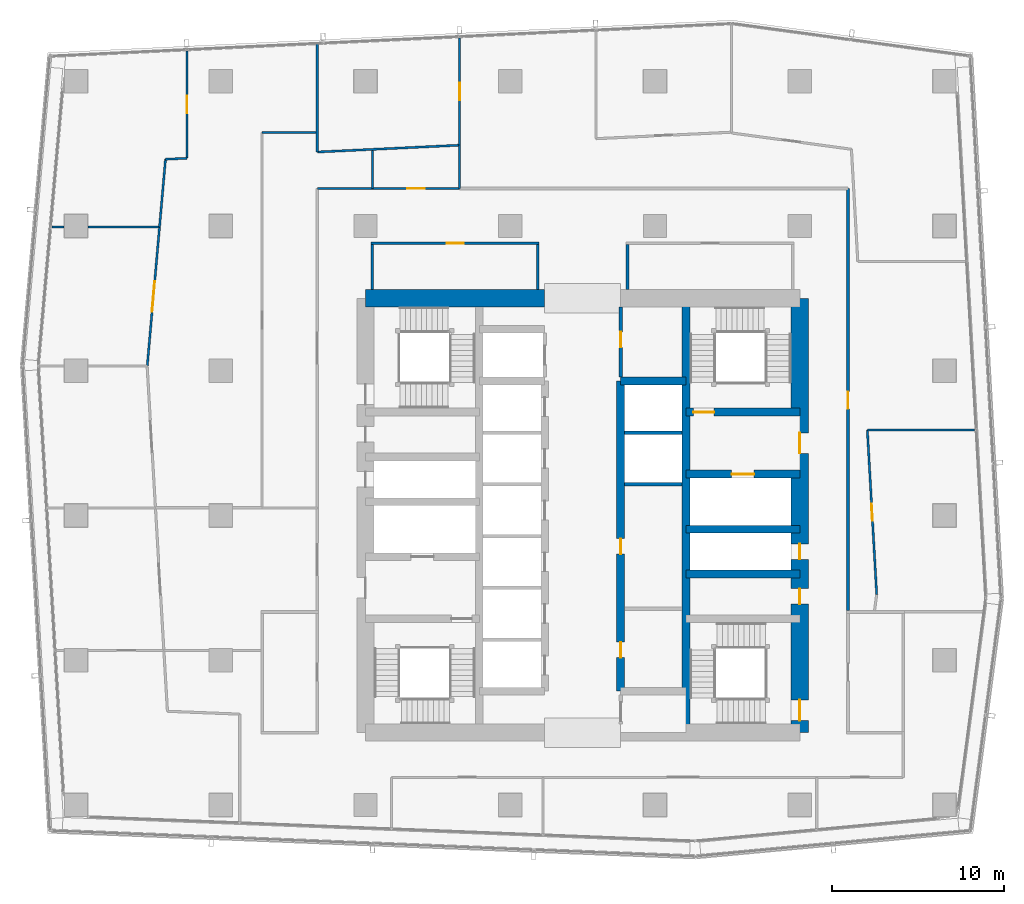
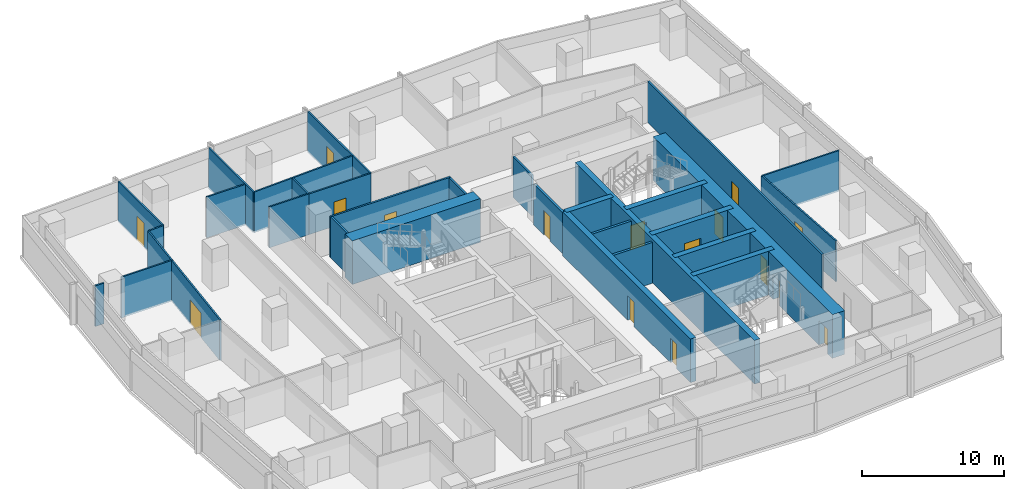
# One storey, part 29 of 39: 33 walls, 16 doors, 16 openings.
"""IFC4 building model written with IfcOpenShell, lengths in metres."""

from ifc_helpers import new_model, si_unit, direction, frame, frame_2d, origin, place, context, subcontext, project, spatial, rectangle, extrude, material, layer, layer_set, type_object, element, fill, save


model = new_model("IFC4")

# Units and contexts
model_context = context("Model", 3, precision=1e-05, world=origin(), true_north=direction((0.0, 1.0)))
body_context = subcontext(model_context, "Body", "Model", "MODEL_VIEW")
ifc_project = project(units=[si_unit("LENGTHUNIT", "METRE"), si_unit("AREAUNIT", "SQUARE_METRE"), si_unit("VOLUMEUNIT", "CUBIC_METRE"), si_unit("PLANEANGLEUNIT", "RADIAN"), si_unit("MASSUNIT", "GRAM", prefix="KILO")], contexts=[model_context])

# Site, building, storey
site_placement = place(None, origin())
site = spatial("IfcSite", under=ifc_project, at=site_placement, CompositionType="ELEMENT")
building_placement = place(site_placement, origin())
building = spatial("IfcBuilding", under=site, at=building_placement, Name="Rekha Terrace Tower", CompositionType="ELEMENT")
storey_placement = place(building_placement, frame((0.0, 0.0, 217.699951171875)))
storey = spatial("IfcBuildingStorey", under=building, at=storey_placement, Name="L55", CompositionType="ELEMENT", Elevation=217.699951171875)

# Wall
ifc_material_1 = material(Name="Concrete M60", Category="concrete")
ifc_layer_1 = layer(ifc_material_1, 0.449951171875)
ifc_layer_set_1 = layer_set([ifc_layer_1], Name="Concrete M60")
wall_type_1 = type_object("IfcWallType", Name="CI3 450 core internal shear wall", PredefinedType="SHEAR", material=ifc_layer_set_1)
wall_1_placement = place(storey_placement, frame((43.800048828125, 21.0, 0.0), z_axis=(0.0, 0.0, 1.0), x_axis=(0.0, 1.0, 0.0)))
element("IfcWall", 1, at=wall_1_placement, inside=storey, type_object=wall_type_1, Name="Core wall X438 L55", PredefinedType="SHEAR", context=body_context, shape_type="SweptSolid", body=[
    extrude(rectangle(XDim=25.199951171875, YDim=0.449951171875, at=frame_2d((12.60009765625, 0.0))), origin(), (0.0, 0.0, 1.0), 3.75),
])

# Wall, openings, doors
wall_2_placement = place(storey_placement, frame((40.0, 23.39990234375, 0.0), z_axis=(0.0, 0.0, 1.0), x_axis=(0.0, 1.0, 0.0)))
wall_2 = element("IfcWall", 2, at=wall_2_placement, inside=storey, type_object=wall_type_1, Name="Core wall X400 L55", PredefinedType="SHEAR", context=body_context, shape_type="SweptSolid", body=[
    extrude(rectangle(XDim=18.0, YDim=0.449951171875, at=frame_2d((9.0, 0.0))), origin(), (0.0, 0.0, 1.0), 3.75),
])
opening_1_placement = place(wall_2_placement, frame((1.949951171875, 0.0, 0.0)))
opening_1 = element("IfcOpeningElement", 3, at=opening_1_placement, cuts=wall_2, Name="Opening D5", PredefinedType="OPENING", context=body_context, shape_type="SweptSolid", body=[
    extrude(rectangle(XDim=0.89990234375, YDim=2.10009765625, at=frame_2d((0.449951171875, 1.050048828125))), frame((0.0, 0.23486328125, 0.0), z_axis=(0.0, -1.0, 0.0), x_axis=(1.0, 0.0, 0.0)), (0.0, 0.0, 1.0), 0.469970703125),
])
opening_2_placement = place(wall_2_placement, frame((7.949951171875, 0.0, 0.0)))
opening_2 = element("IfcOpeningElement", 4, at=opening_2_placement, cuts=wall_2, Name="Opening D5", PredefinedType="OPENING", context=body_context, shape_type="SweptSolid", body=[
    extrude(rectangle(XDim=0.89990234375, YDim=2.10009765625, at=frame_2d((0.449951171875, 1.050048828125))), frame((0.0, 0.23486328125, 0.0), z_axis=(0.0, -1.0, 0.0), x_axis=(1.0, 0.0, 0.0)), (0.0, 0.0, 1.0), 0.469970703125),
])
ifc_material_2 = material(Name="Steel fire door", Category="steel")
door_type_1 = type_object("IfcDoorType", Name="D5 900x2100 riser access door", OperationType="SINGLE_SWING_LEFT", PredefinedType="DOOR", material=ifc_material_2)
door_1_placement = place(opening_1_placement, origin())
door_1 = element("IfcDoor", 5, at=door_1_placement, inside=storey, type_object=door_type_1, Name="Door records store L55", OperationType="SINGLE_SWING_LEFT", OverallHeight=2.10009765625, OverallWidth=0.89990234375, PredefinedType="DOOR", context=body_context, shape_type="SweptSolid", body=[
    extrude(rectangle(XDim=0.89990234375, YDim=2.10009765625, at=frame_2d((0.449951171875, 1.050048828125))), frame((0.0, 0.02490234375, 0.0), z_axis=(0.0, -1.0, 0.0), x_axis=(1.0, 0.0, 0.0)), (0.0, 0.0, 1.0), 0.050048828125),
])
fill(opening_1, door_1)
door_2_placement = place(opening_2_placement, origin())
door_2 = element("IfcDoor", 6, at=door_2_placement, inside=storey, type_object=door_type_1, Name="Door back-of-house store L55", OperationType="SINGLE_SWING_LEFT", OverallHeight=2.10009765625, OverallWidth=0.89990234375, PredefinedType="DOOR", context=body_context, shape_type="SweptSolid", body=[
    extrude(rectangle(XDim=0.89990234375, YDim=2.10009765625, at=frame_2d((0.449951171875, 1.050048828125))), frame((0.0, 0.02490234375, 0.0), z_axis=(0.0, -1.0, 0.0), x_axis=(1.0, 0.0, 0.0)), (0.0, 0.0, 1.0), 0.050048828125),
])
fill(opening_2, door_2)

# Walls
wall_3_placement = place(storey_placement, frame((40.0, 41.39990234375, 0.0), z_axis=(0.0, 0.0, 1.0), x_axis=(1.0, 0.0, 0.0)))
element("IfcWall", 7, at=wall_3_placement, inside=storey, type_object=wall_type_1, Name="Core wall Y414E L55", PredefinedType="SHEAR", context=body_context, shape_type="SweptSolid", body=[
    extrude(rectangle(XDim=3.800048828125, YDim=0.449951171875, at=frame_2d((1.89990234375, 0.0))), origin(), (0.0, 0.0, 1.0), 3.75),
])
for number, where, z_axis, x_axis, name in (
    (8, (43.800048828125, 30.199951171875, 0.0), (0.0, 0.0, 1.0), (1.0, 0.0, 0.0), "Core wall Y302E L55"),
    (9, (43.800048828125, 32.800048828125, 0.0), (0.0, 0.0, 1.0), (1.0, 0.0, 0.0), "Core wall Y328E L55"),
):
    element("IfcWall", number, at=place(storey_placement, frame(where, z_axis=z_axis, x_axis=x_axis)), inside=storey, type_object=wall_type_1, Name=name, PredefinedType="SHEAR", context=body_context, shape_type="SweptSolid", body=[
        extrude(rectangle(XDim=6.599853515625, YDim=0.449951171875, at=frame_2d((3.2998046875, 0.0))), origin(), (0.0, 0.0, 1.0), 3.75),
    ])

# Wall, opening, door
wall_4_placement = place(storey_placement, frame((43.800048828125, 36.0, 0.0), z_axis=(0.0, 0.0, 1.0), x_axis=(1.0, 0.0, 0.0)))
wall_4 = element("IfcWall", 10, at=wall_4_placement, inside=storey, type_object=wall_type_1, Name="Core wall Y360E L55", PredefinedType="SHEAR", context=body_context, shape_type="SweptSolid", body=[
    extrude(rectangle(XDim=6.599853515625, YDim=0.449951171875, at=frame_2d((3.2998046875, 0.0))), origin(), (0.0, 0.0, 1.0), 3.75),
])
opening_3_placement = place(wall_4_placement, frame((2.64990234375, 0.0, 0.0)))
opening_3 = element("IfcOpeningElement", 11, at=opening_3_placement, cuts=wall_4, Name="Opening LD2", PredefinedType="OPENING", context=body_context, shape_type="SweptSolid", body=[
    extrude(rectangle(XDim=1.300048828125, YDim=2.10009765625, at=frame_2d((0.64990234375, 1.050048828125))), frame((0.0, 0.23486328125, 0.0), z_axis=(0.0, -1.0, 0.0), x_axis=(1.0, 0.0, 0.0)), (0.0, 0.0, 1.0), 0.469970703125),
])
ifc_material_3 = material(Name="Stainless steel sliding landing door", Category="steel")
door_type_2 = type_object("IfcDoorType", Name="LD2 1300x2100 fire lift landing door", OperationType="SLIDING_TO_LEFT", PredefinedType="USERDEFINED", material=ifc_material_3)
door_3_placement = place(opening_3_placement, origin())
door_3 = element("IfcDoor", 12, at=door_3_placement, inside=storey, type_object=door_type_2, Name="Lift FL2 landing door L55", ObjectType="LIFT LANDING DOOR", OperationType="SLIDING_TO_LEFT", OverallHeight=2.10009765625, OverallWidth=1.300048828125, PredefinedType="USERDEFINED", context=body_context, shape_type="SweptSolid", body=[
    extrude(rectangle(XDim=1.300048828125, YDim=2.10009765625, at=frame_2d((0.64990234375, 1.050048828125))), frame((0.0, 0.02490234375, 0.0), z_axis=(0.0, -1.0, 0.0), x_axis=(1.0, 0.0, 0.0)), (0.0, 0.0, 1.0), 0.050048828125),
])
fill(opening_3, door_3)

wall_5_placement = place(storey_placement, frame((43.800048828125, 39.60009765625, 0.0), z_axis=(0.0, 0.0, 1.0), x_axis=(1.0, 0.0, 0.0)))
wall_5 = element("IfcWall", 13, at=wall_5_placement, inside=storey, type_object=wall_type_1, Name="Core wall Y396E L55", PredefinedType="SHEAR", context=body_context, shape_type="SweptSolid", body=[
    extrude(rectangle(XDim=6.599853515625, YDim=0.449951171875, at=frame_2d((3.2998046875, 0.0))), origin(), (0.0, 0.0, 1.0), 3.75),
])
opening_4_placement = place(wall_5_placement, frame((0.425048828125, 0.0, 0.0)))
opening_4 = element("IfcOpeningElement", 14, at=opening_4_placement, cuts=wall_5, Name="Opening D1", PredefinedType="OPENING", context=body_context, shape_type="SweptSolid", body=[
    extrude(rectangle(XDim=1.199951171875, YDim=2.10009765625, at=frame_2d((0.60009765625, 1.050048828125))), frame((0.0, 0.23486328125, 0.0), z_axis=(0.0, -1.0, 0.0), x_axis=(1.0, 0.0, 0.0)), (0.0, 0.0, 1.0), 0.469970703125),
])
door_type_3 = type_object("IfcDoorType", Name="D1 1200x2100 stair fire door", OperationType="SINGLE_SWING_RIGHT", PredefinedType="DOOR", material=ifc_material_2)
door_4_placement = place(opening_4_placement, origin())
door_4 = element("IfcDoor", 15, at=door_4_placement, inside=storey, type_object=door_type_3, Name="Stair ST2 door L55", OperationType="SINGLE_SWING_RIGHT", OverallHeight=2.10009765625, OverallWidth=1.199951171875, PredefinedType="DOOR", context=body_context, shape_type="SweptSolid", body=[
    extrude(rectangle(XDim=1.199951171875, YDim=2.10009765625, at=frame_2d((0.60009765625, 1.050048828125))), frame((0.0, 0.02490234375, 0.0), z_axis=(0.0, -1.0, 0.0), x_axis=(1.0, 0.0, 0.0)), (0.0, 0.0, 1.0), 0.050048828125),
])
fill(opening_4, door_4)

# Wall
ifc_layer_2 = layer(ifc_material_1, 1.0)
ifc_layer_set_2 = layer_set([ifc_layer_2], Name="Concrete M60")
wall_type_2 = type_object("IfcWallType", Name="SW3 1000 core outer shear wall", PredefinedType="SHEAR", material=ifc_layer_set_2)
wall_6_placement = place(storey_placement, frame((25.199951171875, 46.199951171875, 0.0), z_axis=(0.0, 0.0, 1.0), x_axis=(1.0, 0.0, 0.0)))
element("IfcWall", 16, at=wall_6_placement, inside=storey, type_object=wall_type_2, Name="Core wall N1 L55", PredefinedType="SHEAR", context=body_context, shape_type="SweptSolid", body=[
    extrude(rectangle(XDim=10.400146484375, YDim=1.0, at=frame_2d((5.2001953125, 0.0))), origin(), (0.0, 0.0, 1.0), 3.75),
])

# Wall, openings, doors
wall_7_placement = place(storey_placement, frame((50.39990234375, 21.0, 0.0), z_axis=(0.0, 0.0, 1.0), x_axis=(0.0, 1.0, 0.0)))
wall_7 = element("IfcWall", 17, at=wall_7_placement, inside=storey, type_object=wall_type_2, Name="Core wall E L55", PredefinedType="SHEAR", context=body_context, shape_type="SweptSolid", body=[
    extrude(rectangle(XDim=25.199951171875, YDim=1.0, at=frame_2d((12.60009765625, 0.0))), origin(), (0.0, 0.0, 1.0), 3.75),
])
opening_5_placement = place(wall_7_placement, frame((16.199951171875, 0.0, 0.0)))
opening_5 = element("IfcOpeningElement", 18, at=opening_5_placement, cuts=wall_7, Name="Opening D2", PredefinedType="OPENING", context=body_context, shape_type="SweptSolid", body=[
    extrude(rectangle(XDim=1.199951171875, YDim=2.10009765625, at=frame_2d((0.60009765625, 1.050048828125))), frame((0.0, 0.510009765625, 0.0), z_axis=(0.0, -1.0, 0.0), x_axis=(1.0, 0.0, 0.0)), (0.0, 0.0, 1.0), 1.02001953125),
])
opening_6_placement = place(wall_7_placement, frame((10.050048828125, 0.0, 0.0)))
opening_6 = element("IfcOpeningElement", 19, at=opening_6_placement, cuts=wall_7, Name="Opening D5", PredefinedType="OPENING", context=body_context, shape_type="SweptSolid", body=[
    extrude(rectangle(XDim=0.89990234375, YDim=2.10009765625, at=frame_2d((0.449951171875, 1.050048828125))), frame((0.0, 0.510009765625, 0.0), z_axis=(0.0, -1.0, 0.0), x_axis=(1.0, 0.0, 0.0)), (0.0, 0.0, 1.0), 1.02001953125),
])
opening_7_placement = place(wall_7_placement, frame((7.449951171875, 0.0, 0.0)))
opening_7 = element("IfcOpeningElement", 20, at=opening_7_placement, cuts=wall_7, Name="Opening D5", PredefinedType="OPENING", context=body_context, shape_type="SweptSolid", body=[
    extrude(rectangle(XDim=0.89990234375, YDim=2.10009765625, at=frame_2d((0.449951171875, 1.050048828125))), frame((0.0, 0.510009765625, 0.0), z_axis=(0.0, -1.0, 0.0), x_axis=(1.0, 0.0, 0.0)), (0.0, 0.0, 1.0), 1.02001953125),
])
opening_8_placement = place(wall_7_placement, frame((0.699951171875, 0.0, 0.0)))
opening_8 = element("IfcOpeningElement", 21, at=opening_8_placement, cuts=wall_7, Name="Opening D1", PredefinedType="OPENING", context=body_context, shape_type="SweptSolid", body=[
    extrude(rectangle(XDim=1.199951171875, YDim=2.10009765625, at=frame_2d((0.60009765625, 1.050048828125))), frame((0.0, 0.510009765625, 0.0), z_axis=(0.0, -1.0, 0.0), x_axis=(1.0, 0.0, 0.0)), (0.0, 0.0, 1.0), 1.02001953125),
])
door_5_placement = place(opening_8_placement, origin())
door_5 = element("IfcDoor", 22, at=door_5_placement, inside=storey, type_object=door_type_3, Name="Stair ST3 door L55", OperationType="SINGLE_SWING_RIGHT", OverallHeight=2.10009765625, OverallWidth=1.199951171875, PredefinedType="DOOR", context=body_context, shape_type="SweptSolid", body=[
    extrude(rectangle(XDim=1.199951171875, YDim=2.10009765625, at=frame_2d((0.60009765625, 1.050048828125))), frame((0.0, 0.02490234375, 0.0), z_axis=(0.0, -1.0, 0.0), x_axis=(1.0, 0.0, 0.0)), (0.0, 0.0, 1.0), 0.050048828125),
])
fill(opening_8, door_5)
door_type_4 = type_object("IfcDoorType", Name="D2 1200x2100 firefighting lobby door", OperationType="SINGLE_SWING_LEFT", PredefinedType="DOOR", material=ifc_material_2)
door_6_placement = place(opening_5_placement, origin())
door_6 = element("IfcDoor", 23, at=door_6_placement, inside=storey, type_object=door_type_4, Name="Door flb2 L55", OperationType="SINGLE_SWING_LEFT", OverallHeight=2.10009765625, OverallWidth=1.199951171875, PredefinedType="DOOR", context=body_context, shape_type="SweptSolid", body=[
    extrude(rectangle(XDim=1.199951171875, YDim=2.10009765625, at=frame_2d((0.60009765625, 1.050048828125))), frame((0.0, 0.02490234375, 0.0), z_axis=(0.0, -1.0, 0.0), x_axis=(1.0, 0.0, 0.0)), (0.0, 0.0, 1.0), 0.050048828125),
])
fill(opening_5, door_6)
door_7_placement = place(opening_6_placement, origin())
door_7 = element("IfcDoor", 24, at=door_7_placement, inside=storey, type_object=door_type_1, Name="Door rs2 L55", OperationType="SINGLE_SWING_LEFT", OverallHeight=2.10009765625, OverallWidth=0.89990234375, PredefinedType="DOOR", context=body_context, shape_type="SweptSolid", body=[
    extrude(rectangle(XDim=0.89990234375, YDim=2.10009765625, at=frame_2d((0.449951171875, 1.050048828125))), frame((0.0, 0.02490234375, 0.0), z_axis=(0.0, -1.0, 0.0), x_axis=(1.0, 0.0, 0.0)), (0.0, 0.0, 1.0), 0.050048828125),
])
fill(opening_6, door_7)
door_8_placement = place(opening_7_placement, origin())
door_8 = element("IfcDoor", 25, at=door_8_placement, inside=storey, type_object=door_type_1, Name="Door ele L55", OperationType="SINGLE_SWING_LEFT", OverallHeight=2.10009765625, OverallWidth=0.89990234375, PredefinedType="DOOR", context=body_context, shape_type="SweptSolid", body=[
    extrude(rectangle(XDim=0.89990234375, YDim=2.10009765625, at=frame_2d((0.449951171875, 1.050048828125))), frame((0.0, 0.02490234375, 0.0), z_axis=(0.0, -1.0, 0.0), x_axis=(1.0, 0.0, 0.0)), (0.0, 0.0, 1.0), 0.050048828125),
])
fill(opening_7, door_8)

# Wall
ifc_material_4 = material(Name="Concrete block masonry, 1 hour", Category="masonry")
ifc_layer_3 = layer(ifc_material_4, 0.14990234375)
ifc_layer_set_3 = layer_set([ifc_layer_3], Name="Concrete block masonry, 1 hour")
wall_type_3 = type_object("IfcWallType", Name="WP2 150 tenancy partition", PredefinedType="PARTITIONING", material=ifc_layer_set_3)
wall_8_placement = place(storey_placement, frame((40.39990234375, 46.699951171875, 0.0), z_axis=(0.0, 0.0, 1.0), x_axis=(0.0, 1.0, 0.0)))
element("IfcWall", 26, at=wall_8_placement, inside=storey, type_object=wall_type_3, Name="Women's WC wall L55", PredefinedType="PARTITIONING", context=body_context, shape_type="SweptSolid", body=[
    extrude(rectangle(XDim=2.625, YDim=0.14990234375, at=frame_2d((1.3125, 0.0))), origin(), (0.0, 0.0, 1.0), 3.5),
])

# Wall, opening, door
wall_9_placement = place(storey_placement, frame((25.52490234375, 49.39990234375, 0.0), z_axis=(0.0, 0.0, 1.0), x_axis=(1.0, 0.0, 0.0)))
wall_9 = element("IfcWall", 27, at=wall_9_placement, inside=storey, type_object=wall_type_3, Name="Women's WC wall L55", PredefinedType="PARTITIONING", context=body_context, shape_type="SweptSolid", body=[
    extrude(rectangle(XDim=9.75, YDim=0.14990234375, at=frame_2d((4.875, 0.0))), origin(), (0.0, 0.0, 1.0), 3.5),
])
opening_9_placement = place(wall_9_placement, frame((4.375, 0.0, 0.0)))
opening_9 = element("IfcOpeningElement", 28, at=opening_9_placement, cuts=wall_9, Name="Opening D3", PredefinedType="OPENING", context=body_context, shape_type="SweptSolid", body=[
    extrude(rectangle(XDim=1.0, YDim=2.10009765625, at=frame_2d((0.5, 1.050048828125))), frame((0.0, 0.0849609375, 0.0), z_axis=(0.0, -1.0, 0.0), x_axis=(1.0, 0.0, 0.0)), (0.0, 0.0, 1.0), 0.169921875),
])
ifc_material_5 = material(Name="Laminated timber fire door", Category="wood")
door_type_5 = type_object("IfcDoorType", Name="D3 1000x2100 WC door", OperationType="SINGLE_SWING_LEFT", PredefinedType="DOOR", material=ifc_material_5)
door_9_placement = place(opening_9_placement, origin())
door_9 = element("IfcDoor", 29, at=door_9_placement, inside=storey, type_object=door_type_5, Name="Door women's wc L55", OperationType="SINGLE_SWING_LEFT", OverallHeight=2.10009765625, OverallWidth=1.0, PredefinedType="DOOR", context=body_context, shape_type="SweptSolid", body=[
    extrude(rectangle(XDim=1.0, YDim=2.10009765625, at=frame_2d((0.5, 1.050048828125))), frame((0.0, 0.02490234375, 0.0), z_axis=(0.0, -1.0, 0.0), x_axis=(1.0, 0.0, 0.0)), (0.0, 0.0, 1.0), 0.050048828125),
])
fill(opening_9, door_9)

# Walls
for number, where, z_axis, x_axis, name in (
    (30, (25.60009765625, 46.699951171875, 0.0), (0.0, 0.0, 1.0), (0.0, 1.0, 0.0), "Women's WC wall L55"),
    (31, (35.199951171875, 46.699951171875, 0.0), (0.0, 0.0, 1.0), (0.0, 1.0, 0.0), "Women's WC wall L55"),
):
    element("IfcWall", number, at=place(storey_placement, frame(where, z_axis=z_axis, x_axis=x_axis)), inside=storey, type_object=wall_type_3, Name=name, PredefinedType="PARTITIONING", context=body_context, shape_type="SweptSolid", body=[
        extrude(rectangle(XDim=2.625, YDim=0.14990234375, at=frame_2d((1.3125, 0.0))), origin(), (0.0, 0.0, 1.0), 3.5),
    ])

# Wall, opening, door
wall_10_placement = place(storey_placement, frame((53.199951171875, 28.074951171875, 0.0), z_axis=(0.0, 0.0, 1.0), x_axis=(0.0, 1.0, 0.0)))
wall_10 = element("IfcWall", 32, at=wall_10_placement, inside=storey, type_object=wall_type_3, Name="Partition L55-O1", PredefinedType="PARTITIONING", context=body_context, shape_type="SweptSolid", body=[
    extrude(rectangle(XDim=24.5, YDim=0.14990234375, at=frame_2d((12.25, 0.0))), origin(), (0.0, 0.0, 1.0), 3.5),
])
opening_10_placement = place(wall_10_placement, frame((11.712890625, 0.0, 0.0)))
opening_10 = element("IfcOpeningElement", 33, at=opening_10_placement, cuts=wall_10, Name="Opening D9", PredefinedType="OPENING", context=body_context, shape_type="SweptSolid", body=[
    extrude(rectangle(XDim=1.0, YDim=2.10009765625, at=frame_2d((0.5, 1.050048828125))), frame((0.0, 0.0849609375, 0.0), z_axis=(0.0, -1.0, 0.0), x_axis=(1.0, 0.0, 0.0)), (0.0, 0.0, 1.0), 0.169921875),
])
ifc_material_6 = material(Name="Timber fire door", Category="wood")
door_type_6 = type_object("IfcDoorType", Name="D9 1000x2100 office door", OperationType="SINGLE_SWING_LEFT", PredefinedType="DOOR", material=ifc_material_6)
door_10_placement = place(opening_10_placement, origin())
door_10 = element("IfcDoor", 34, at=door_10_placement, inside=storey, type_object=door_type_6, Name="Door open-plan office L55", OperationType="SINGLE_SWING_LEFT", OverallHeight=2.10009765625, OverallWidth=1.0, PredefinedType="DOOR", context=body_context, shape_type="SweptSolid", body=[
    extrude(rectangle(XDim=1.0, YDim=2.10009765625, at=frame_2d((0.5, 1.050048828125))), frame((0.0, 0.02490234375, 0.0), z_axis=(0.0, -1.0, 0.0), x_axis=(1.0, 0.0, 0.0)), (0.0, 0.0, 1.0), 0.050048828125),
])
fill(opening_10, door_10)

ifc_material_7 = material(Name="Two layers of fire-rated gypsum board each side on steel studs, acoustic quilt, 1 hour", Category="steel")
ifc_layer_4 = layer(ifc_material_7, 0.125)
ifc_layer_set_4 = layer_set([ifc_layer_4], Name="Two layers of fire-rated gypsum board each side on steel studs, acoustic quilt, 1 hour")
wall_type_4 = type_object("IfcWallType", Name="WP3 125 office partition", PredefinedType="PARTITIONING", material=ifc_layer_set_4)
wall_11_placement = place(storey_placement, frame((54.862060546875, 29.01708984375, 0.0), z_axis=(0.0, 0.0, 1.0), x_axis=(-0.056632031714, 0.99839511867, 0.0)))
wall_11 = element("IfcWall", 35, at=wall_11_placement, inside=storey, type_object=wall_type_4, Name="Partition L55-04", PredefinedType="PARTITIONING", context=body_context, shape_type="SweptSolid", body=[
    extrude(rectangle(XDim=9.55322265625, YDim=0.125, at=frame_2d((4.776611328125, 0.0))), origin(), (0.0, 0.0, 1.0), 3.5),
])
opening_11_placement = place(wall_11_placement, frame((4.277099609375, 0.0, 0.0)))
opening_11 = element("IfcOpeningElement", 36, at=opening_11_placement, cuts=wall_11, Name="Opening D9", PredefinedType="OPENING", context=body_context, shape_type="SweptSolid", body=[
    extrude(rectangle(XDim=1.0, YDim=2.10009765625, at=frame_2d((0.5, 1.050048828125))), frame((0.0, 0.072509765625, 0.0), z_axis=(0.0, -1.0, 0.0), x_axis=(1.0, 0.0, 0.0)), (0.0, 0.0, 1.0), 0.14501953125),
])
door_11_placement = place(opening_11_placement, origin())
door_11 = element("IfcDoor", 37, at=door_11_placement, inside=storey, type_object=door_type_6, Name="Door director's office L55", OperationType="SINGLE_SWING_LEFT", OverallHeight=2.10009765625, OverallWidth=1.0, PredefinedType="DOOR", context=body_context, shape_type="SweptSolid", body=[
    extrude(rectangle(XDim=1.0, YDim=2.10009765625, at=frame_2d((0.5, 1.050048828125))), frame((0.0, 0.02490234375, 0.0), z_axis=(0.0, -1.0, 0.0), x_axis=(1.0, 0.0, 0.0)), (0.0, 0.0, 1.0), 0.050048828125),
])
fill(opening_11, door_11)

# Walls
wall_12_placement = place(storey_placement, frame((54.321044921875, 38.554931640625, 0.0), z_axis=(0.0, 0.0, 1.0), x_axis=(1.0, 0.0, 0.0)))
element("IfcWall", 38, at=wall_12_placement, inside=storey, type_object=wall_type_4, Name="Partition L55-04", PredefinedType="PARTITIONING", context=body_context, shape_type="SweptSolid", body=[
    extrude(rectangle(XDim=6.22998046875, YDim=0.125, at=frame_2d((3.114990234375, 0.0))), origin(), (0.0, 0.0, 1.0), 3.5),
])
wall_13_placement = place(storey_placement, frame((30.660888671875, 55.0859375, 0.0), z_axis=(0.0, 0.0, 1.0), x_axis=(-0.998858431805, -0.047768537897, 0.0)))
element("IfcWall", 39, at=wall_13_placement, inside=storey, type_object=wall_type_4, Name="Partition L55-07", PredefinedType="PARTITIONING", context=body_context, shape_type="SweptSolid", body=[
    extrude(rectangle(XDim=8.26953125, YDim=0.125, at=frame_2d((4.134765625, 0.0))), origin(), (0.0, 0.0, 1.0), 3.5),
])
wall_14_placement = place(storey_placement, frame((22.40087890625, 54.69091796875, 0.0), z_axis=(0.0, 0.0, 1.0), x_axis=(0.0, 1.0, 0.0)))
element("IfcWall", 40, at=wall_14_placement, inside=storey, type_object=wall_type_4, Name="Partition L55-07", PredefinedType="PARTITIONING", context=body_context, shape_type="SweptSolid", body=[
    extrude(rectangle(XDim=6.257080078125, YDim=0.125, at=frame_2d((3.12841796875, 0.0))), origin(), (0.0, 0.0, 1.0), 3.5),
])

# Wall, opening, door
wall_15_placement = place(storey_placement, frame((30.660888671875, 61.31298828125, 0.0), z_axis=(0.0, 0.0, 1.0), x_axis=(0.0, -1.0, 0.0)))
wall_15 = element("IfcWall", 41, at=wall_15_placement, inside=storey, type_object=wall_type_4, Name="Partition L55-07", PredefinedType="PARTITIONING", context=body_context, shape_type="SweptSolid", body=[
    extrude(rectangle(XDim=6.22705078125, YDim=0.125, at=frame_2d((3.113525390625, 0.0))), origin(), (0.0, 0.0, 1.0), 3.5),
])
opening_12_placement = place(wall_15_placement, frame((2.614013671875, 0.0, 0.0)))
opening_12 = element("IfcOpeningElement", 42, at=opening_12_placement, cuts=wall_15, Name="Opening D9", PredefinedType="OPENING", context=body_context, shape_type="SweptSolid", body=[
    extrude(rectangle(XDim=1.0, YDim=2.10009765625, at=frame_2d((0.5, 1.050048828125))), frame((0.0, 0.072509765625, 0.0), z_axis=(0.0, -1.0, 0.0), x_axis=(1.0, 0.0, 0.0)), (0.0, 0.0, 1.0), 0.14501953125),
])
door_12_placement = place(opening_12_placement, origin())
door_12 = element("IfcDoor", 43, at=door_12_placement, inside=storey, type_object=door_type_6, Name="Door director's office L55", OperationType="SINGLE_SWING_LEFT", OverallHeight=2.10009765625, OverallWidth=1.0, PredefinedType="DOOR", context=body_context, shape_type="SweptSolid", body=[
    extrude(rectangle(XDim=1.0, YDim=2.10009765625, at=frame_2d((0.5, 1.050048828125))), frame((0.0, 0.02490234375, 0.0), z_axis=(0.0, -1.0, 0.0), x_axis=(1.0, 0.0, 0.0)), (0.0, 0.0, 1.0), 0.050048828125),
])
fill(opening_12, door_12)

wall_16_placement = place(storey_placement, frame((14.842041015625, 60.556884765625, 0.0), z_axis=(0.0, 0.0, 1.0), x_axis=(0.0, -1.0, 0.0)))
wall_16 = element("IfcWall", 44, at=wall_16_placement, inside=storey, type_object=wall_type_4, Name="Partition L55-08", PredefinedType="PARTITIONING", context=body_context, shape_type="SweptSolid", body=[
    extrude(rectangle(XDim=6.227783203125, YDim=0.125, at=frame_2d((3.11376953125, 0.0))), origin(), (0.0, 0.0, 1.0), 3.5),
])
opening_13_placement = place(wall_16_placement, frame((2.614013671875, 0.0, 0.0)))
opening_13 = element("IfcOpeningElement", 45, at=opening_13_placement, cuts=wall_16, Name="Opening D9", PredefinedType="OPENING", context=body_context, shape_type="SweptSolid", body=[
    extrude(rectangle(XDim=1.0, YDim=2.10009765625, at=frame_2d((0.5, 1.050048828125))), frame((0.0, 0.072509765625, 0.0), z_axis=(0.0, -1.0, 0.0), x_axis=(1.0, 0.0, 0.0)), (0.0, 0.0, 1.0), 0.14501953125),
])
door_13_placement = place(opening_13_placement, origin())
door_13 = element("IfcDoor", 46, at=door_13_placement, inside=storey, type_object=door_type_6, Name="Door director's office L55", OperationType="SINGLE_SWING_LEFT", OverallHeight=2.10009765625, OverallWidth=1.0, PredefinedType="DOOR", context=body_context, shape_type="SweptSolid", body=[
    extrude(rectangle(XDim=1.0, YDim=2.10009765625, at=frame_2d((0.5, 1.050048828125))), frame((0.0, 0.02490234375, 0.0), z_axis=(0.0, -1.0, 0.0), x_axis=(1.0, 0.0, 0.0)), (0.0, 0.0, 1.0), 0.050048828125),
])
fill(opening_13, door_13)

# Walls
wall_17_placement = place(storey_placement, frame((14.842041015625, 54.3291015625, 0.0), z_axis=(0.0, 0.0, 1.0), x_axis=(-0.998883106922, -0.047249748216, 0.0)))
element("IfcWall", 47, at=wall_17_placement, inside=storey, type_object=wall_type_4, Name="Partition L55-08", PredefinedType="PARTITIONING", context=body_context, shape_type="SweptSolid", body=[
    extrude(rectangle(XDim=1.25048828125, YDim=0.125, at=frame_2d((0.625244140625, 0.0))), origin(), (0.0, 0.0, 1.0), 3.5),
])
wall_18_placement = place(storey_placement, frame((13.593017578125, 54.27001953125, 0.0), z_axis=(0.0, 0.0, 1.0), x_axis=(-0.088001948608, -0.996120302494, 0.0)))
element("IfcWall", 48, at=wall_18_placement, inside=storey, type_object=wall_type_4, Name="Partition L55-08", PredefinedType="PARTITIONING", context=body_context, shape_type="SweptSolid", body=[
    extrude(rectangle(XDim=3.953369140625, YDim=0.125, at=frame_2d((1.9765625, 0.0))), origin(), (0.0, 0.0, 1.0), 3.5),
])
wall_19_placement = place(storey_placement, frame((13.2451171875, 50.33203125, 0.0), z_axis=(0.0, 0.0, 1.0), x_axis=(-1.0, 0.0, 0.0)))
element("IfcWall", 49, at=wall_19_placement, inside=storey, type_object=wall_type_4, Name="Partition L55-08", PredefinedType="PARTITIONING", context=body_context, shape_type="SweptSolid", body=[
    extrude(rectangle(XDim=4.150146484375, YDim=0.125, at=frame_2d((2.0751953125, 0.0))), origin(), (0.0, 0.0, 1.0), 3.5),
])
wall_20_placement = place(storey_placement, frame((7.705078125, 50.33203125, 0.0), z_axis=(0.0, 0.0, 1.0), x_axis=(-1.0, 0.0, 0.0)))
element("IfcWall", 50, at=wall_20_placement, inside=storey, type_object=wall_type_4, Name="Partition L55-08", PredefinedType="PARTITIONING", context=body_context, shape_type="SweptSolid", body=[
    extrude(rectangle(XDim=0.7041015625, YDim=0.125, at=frame_2d((0.35205078125, 0.0))), origin(), (0.0, 0.0, 1.0), 3.5),
])

# Wall, opening, door
wall_21_placement = place(storey_placement, frame((13.2451171875, 50.3310546875, 0.0), z_axis=(0.0, 0.0, 1.0), x_axis=(-0.087903511106, -0.996128994024, 0.0)))
wall_21 = element("IfcWall", 51, at=wall_21_placement, inside=storey, type_object=wall_type_4, Name="Partition L55-09", PredefinedType="PARTITIONING", context=body_context, shape_type="SweptSolid", body=[
    extrude(rectangle(XDim=8.079345703125, YDim=0.125, at=frame_2d((4.03955078125, 0.0))), origin(), (0.0, 0.0, 1.0), 3.5),
])
opening_14_placement = place(wall_21_placement, frame((3.139892578125, 0.0, 0.0)))
opening_14 = element("IfcOpeningElement", 52, at=opening_14_placement, cuts=wall_21, Name="Opening D8", PredefinedType="OPENING", context=body_context, shape_type="SweptSolid", body=[
    extrude(rectangle(XDim=1.800048828125, YDim=2.10009765625, at=frame_2d((0.89990234375, 1.050048828125))), frame((0.0, 0.072509765625, 0.0), z_axis=(0.0, -1.0, 0.0), x_axis=(1.0, 0.0, 0.0)), (0.0, 0.0, 1.0), 0.14501953125),
])
door_type_7 = type_object("IfcDoorType", Name="D8 1800x2100 double leaf door", OperationType="DOUBLE_DOOR_SINGLE_SWING", PredefinedType="DOOR", material=ifc_material_6)
door_14_placement = place(opening_14_placement, origin())
door_14 = element("IfcDoor", 53, at=door_14_placement, inside=storey, type_object=door_type_7, Name="Door print room L55", OperationType="DOUBLE_DOOR_SINGLE_SWING", OverallHeight=2.10009765625, OverallWidth=1.800048828125, PredefinedType="DOOR", context=body_context, shape_type="SweptSolid", body=[
    extrude(rectangle(XDim=1.800048828125, YDim=2.10009765625, at=frame_2d((0.89990234375, 1.050048828125))), frame((0.0, 0.02490234375, 0.0), z_axis=(0.0, -1.0, 0.0), x_axis=(1.0, 0.0, 0.0)), (0.0, 0.0, 1.0), 0.050048828125),
])
fill(opening_14, door_14)

# Walls
wall_22_placement = place(storey_placement, frame((25.60009765625, 54.781005859375, 0.0), z_axis=(0.0, 0.0, 1.0), x_axis=(0.0, -1.0, 0.0)))
element("IfcWall", 54, at=wall_22_placement, inside=storey, type_object=wall_type_4, Name="Partition L55-13", PredefinedType="PARTITIONING", context=body_context, shape_type="SweptSolid", body=[
    extrude(rectangle(XDim=2.2060546875, YDim=0.125, at=frame_2d((1.10302734375, 0.0))), origin(), (0.0, 0.0, 1.0), 3.5),
])
wall_23_placement = place(storey_placement, frame((25.60009765625, 52.574951171875, 0.0), z_axis=(0.0, 0.0, 1.0), x_axis=(-1.0, 0.0, 0.0)))
element("IfcWall", 55, at=wall_23_placement, inside=storey, type_object=wall_type_4, Name="Partition L55-13", PredefinedType="PARTITIONING", context=body_context, shape_type="SweptSolid", body=[
    extrude(rectangle(XDim=3.2001953125, YDim=0.125, at=frame_2d((1.60009765625, 0.0))), origin(), (0.0, 0.0, 1.0), 3.5),
])
wall_24_placement = place(storey_placement, frame((19.199951171875, 55.8291015625, 0.0), z_axis=(0.0, 0.0, 1.0), x_axis=(1.0, 0.0, 0.0)))
element("IfcWall", 56, at=wall_24_placement, inside=storey, type_object=wall_type_4, Name="Partition L55-13", PredefinedType="PARTITIONING", context=body_context, shape_type="SweptSolid", body=[
    extrude(rectangle(XDim=3.137939453125, YDim=0.125, at=frame_2d((1.56884765625, 0.0))), origin(), (0.0, 0.0, 1.0), 3.5),
])

# Wall, opening, door
wall_25_placement = place(storey_placement, frame((30.660888671875, 52.574951171875, 0.0), z_axis=(0.0, 0.0, 1.0), x_axis=(-1.0, 0.0, 0.0)))
wall_25 = element("IfcWall", 57, at=wall_25_placement, inside=storey, type_object=wall_type_4, Name="Partition L55-14", PredefinedType="PARTITIONING", context=body_context, shape_type="SweptSolid", body=[
    extrude(rectangle(XDim=5.060791015625, YDim=0.125, at=frame_2d((2.5302734375, 0.0))), origin(), (0.0, 0.0, 1.0), 3.5),
])
opening_15_placement = place(wall_25_placement, frame((2.030029296875, 0.0, 0.0)))
opening_15 = element("IfcOpeningElement", 58, at=opening_15_placement, cuts=wall_25, Name="Opening D9", PredefinedType="OPENING", context=body_context, shape_type="SweptSolid", body=[
    extrude(rectangle(XDim=1.0, YDim=2.10009765625, at=frame_2d((0.5, 1.050048828125))), frame((0.0, 0.072509765625, 0.0), z_axis=(0.0, -1.0, 0.0), x_axis=(1.0, 0.0, 0.0)), (0.0, 0.0, 1.0), 0.14501953125),
])
door_15_placement = place(opening_15_placement, origin())
door_15 = element("IfcDoor", 59, at=door_15_placement, inside=storey, type_object=door_type_6, Name="Door meeting room L55", OperationType="SINGLE_SWING_LEFT", OverallHeight=2.10009765625, OverallWidth=1.0, PredefinedType="DOOR", context=body_context, shape_type="SweptSolid", body=[
    extrude(rectangle(XDim=1.0, YDim=2.10009765625, at=frame_2d((0.5, 1.050048828125))), frame((0.0, 0.02490234375, 0.0), z_axis=(0.0, -1.0, 0.0), x_axis=(1.0, 0.0, 0.0)), (0.0, 0.0, 1.0), 0.050048828125),
])
fill(opening_15, door_15)

# Walls
wall_26_placement = place(storey_placement, frame((30.660888671875, 55.0859375, 0.0), z_axis=(0.0, 0.0, 1.0), x_axis=(0.0, -1.0, 0.0)))
element("IfcWall", 60, at=wall_26_placement, inside=storey, type_object=wall_type_4, Name="Partition L55-14", PredefinedType="PARTITIONING", context=body_context, shape_type="SweptSolid", body=[
    extrude(rectangle(XDim=2.510986328125, YDim=0.125, at=frame_2d((1.25537109375, 0.0))), origin(), (0.0, 0.0, 1.0), 3.5),
])
ifc_material_8 = material(Name="Solid concrete block masonry, 2 hour", Category="masonry")
ifc_layer_5 = layer(ifc_material_8, 0.199951171875)
ifc_layer_set_5 = layer_set([ifc_layer_5], Name="Solid concrete block masonry, 2 hour")
wall_type_5 = type_object("IfcWallType", Name="WS1 200 stair and shaft enclosure", PredefinedType="PARTITIONING", material=ifc_layer_set_5)
for number, where, z_axis, x_axis, name in (
    (61, (40.22509765625, 35.39990234375, 0.0), (0.0, 0.0, 1.0), (1.0, 0.0, 0.0), "Lift shaft divider L55"),
    (62, (40.22509765625, 38.39990234375, 0.0), (0.0, 0.0, 1.0), (1.0, 0.0, 0.0), "Lift shaft divider L55"),
):
    element("IfcWall", number, at=place(storey_placement, frame(where, z_axis=z_axis, x_axis=x_axis)), inside=storey, type_object=wall_type_5, Name=name, PredefinedType="PARTITIONING", context=body_context, shape_type="SweptSolid", body=[
        extrude(rectangle(XDim=3.349853515625, YDim=0.199951171875, at=frame_2d((1.6748046875, 0.0))), origin(), (0.0, 0.0, 1.0), 3.5),
    ])

# Wall, opening, door
wall_27_placement = place(storey_placement, frame((40.0, 41.625, 0.0), z_axis=(0.0, 0.0, 1.0), x_axis=(0.0, 1.0, 0.0)))
wall_27 = element("IfcWall", 63, at=wall_27_placement, inside=storey, type_object=wall_type_5, Name="Core partition elec L55", PredefinedType="PARTITIONING", context=body_context, shape_type="SweptSolid", body=[
    extrude(rectangle(XDim=4.074951171875, YDim=0.199951171875, at=frame_2d((2.03759765625, 0.0))), origin(), (0.0, 0.0, 1.0), 3.5),
])
opening_16_placement = place(wall_27_placement, frame((1.72509765625, 0.0, 0.0)))
opening_16 = element("IfcOpeningElement", 64, at=opening_16_placement, cuts=wall_27, Name="Opening D5", PredefinedType="OPENING", context=body_context, shape_type="SweptSolid", body=[
    extrude(rectangle(XDim=0.89990234375, YDim=2.10009765625, at=frame_2d((0.449951171875, 1.050048828125))), frame((0.0, 0.10986328125, 0.0), z_axis=(0.0, -1.0, 0.0), x_axis=(1.0, 0.0, 0.0)), (0.0, 0.0, 1.0), 0.219970703125),
])
door_16_placement = place(opening_16_placement, origin())
door_16 = element("IfcDoor", 65, at=door_16_placement, inside=storey, type_object=door_type_1, Name="Door electrical room L55", OperationType="SINGLE_SWING_LEFT", OverallHeight=2.10009765625, OverallWidth=0.89990234375, PredefinedType="DOOR", context=body_context, shape_type="SweptSolid", body=[
    extrude(rectangle(XDim=0.89990234375, YDim=2.10009765625, at=frame_2d((0.449951171875, 1.050048828125))), frame((0.0, 0.02490234375, 0.0), z_axis=(0.0, -1.0, 0.0), x_axis=(1.0, 0.0, 0.0)), (0.0, 0.0, 1.0), 0.050048828125),
])
fill(opening_16, door_16)

save(model, "model.ifc")
